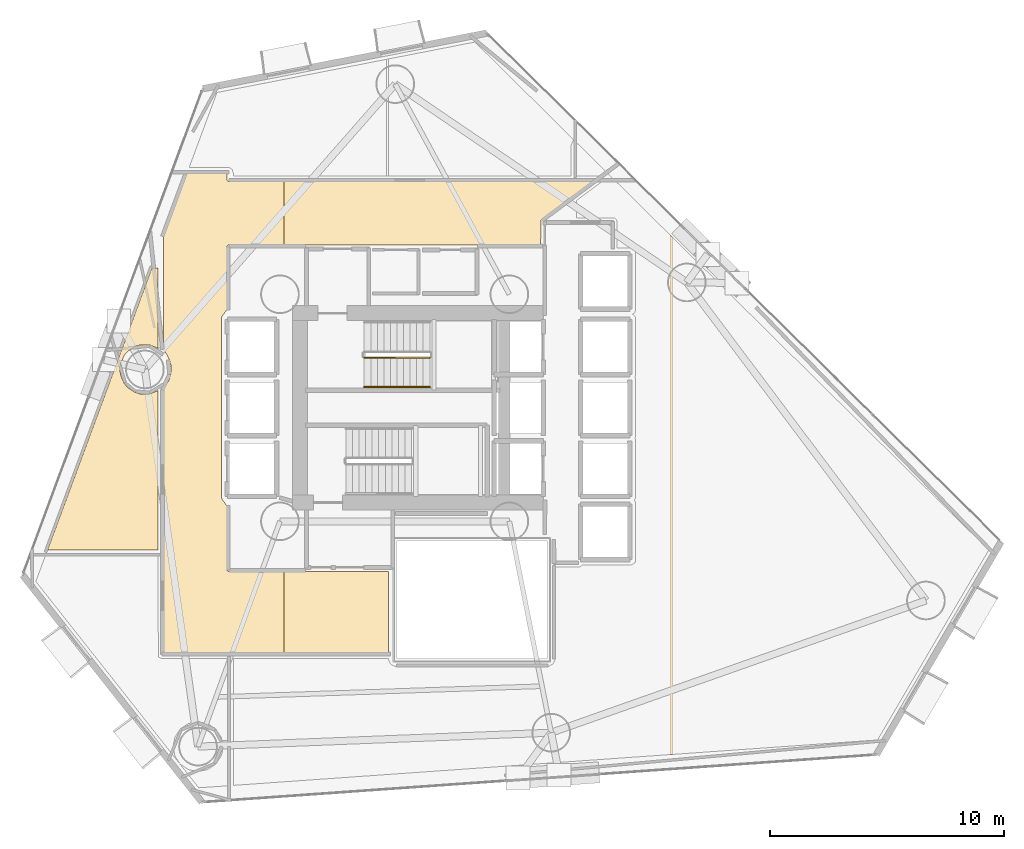
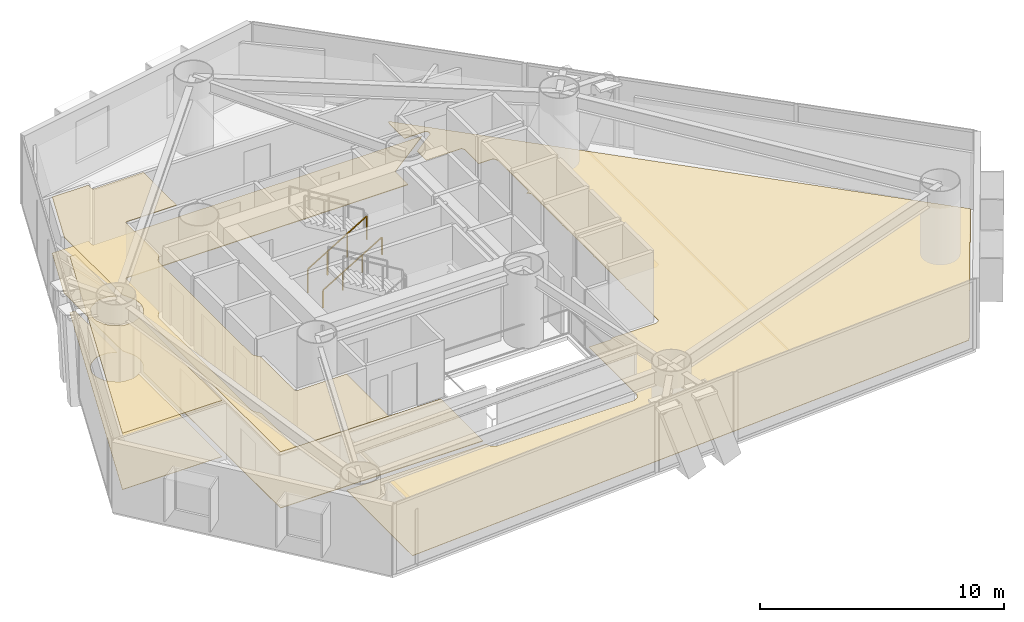
# One storey, part 22 of 24: 5 coverings, 2 railings.
"""IFC4 building model written with IfcOpenShell, lengths in metres."""

from ifc_helpers import new_model, si_unit, direction, frame, origin, origin_2d, place, context, subcontext, project, spatial, polyline, rectangle, outline, extrude, material, layer, layer_set, type_object, element, save


model = new_model("IFC4")

# Units and contexts
model_context = context("Model", 3, precision=1e-05, world=origin(), true_north=direction((0.0, 1.0)))
body_context = subcontext(model_context, "Body", "Model", "MODEL_VIEW")
ifc_project = project(units=[si_unit("LENGTHUNIT", "METRE"), si_unit("AREAUNIT", "SQUARE_METRE"), si_unit("VOLUMEUNIT", "CUBIC_METRE"), si_unit("PLANEANGLEUNIT", "RADIAN"), si_unit("MASSUNIT", "GRAM", prefix="KILO")], contexts=[model_context])

# Site, building, storey
site_placement = place(None, origin())
site = spatial("IfcSite", under=ifc_project, at=site_placement, CompositionType="ELEMENT")
building_placement = place(site_placement, origin())
building = spatial("IfcBuilding", under=site, at=building_placement, Name="Qianvela Tower", CompositionType="ELEMENT")
storey_placement = place(building_placement, frame((0.0, 0.0, 59.89990234375)))
storey = spatial("IfcBuildingStorey", under=building, at=storey_placement, Name="L14", CompositionType="ELEMENT", Elevation=59.89990234375)

# Coverings
ifc_material_1 = material(Name="Perforated Mineral Acoustic Ceiling Tile")
ifc_layer_1 = layer(ifc_material_1, 0.02490234375)
ifc_layer_set_1 = layer_set([ifc_layer_1], Name="Perforated Mineral Acoustic Ceiling Tile")
covering_type_1 = type_object("IfcCoveringType", Name="COV-CEIL-ACOUSTIC-25", PredefinedType="CEILING", material=ifc_layer_set_1)
covering_1_placement = place(storey_placement, frame((0.0, 0.0, 2.815185546875)))
element("IfcCovering", 1, at=covering_1_placement, inside=storey, type_object=covering_type_1, Name="L14 Acoustic Ceiling Bay 1 L14 Floor Corridor", PredefinedType="CEILING", context=body_context, shape_type="SweptSolid", body=[
    extrude(outline(polyline([(23.868408203125, 30.7705078125), (23.864990234375, 30.777587890625), (23.6298828125, 31.21728515625), (23.6298828125, 36.0205078125), (24.629638671875, 38.719970703125), (26.340087890625, 38.719970703125), (26.340087890625, 38.449951171875), (26.34033203125, 38.442138671875), (26.341552734375, 38.434326171875), (26.343505859375, 38.4267578125), (26.34619140625, 38.41943359375), (26.349365234375, 38.412353515625), (26.353515625, 38.405517578125), (26.358154296875, 38.399169921875), (26.36328125, 38.393310546875), (26.369140625, 38.38818359375), (26.37548828125, 38.383544921875), (26.38232421875, 38.37939453125), (26.389404296875, 38.376220703125), (26.396728515625, 38.373291015625), (26.404296875, 38.37158203125), (26.412109375, 38.370361328125), (26.419921875, 38.3701171875), (28.765380859375, 38.3701171875), (28.765380859375, 35.659912109375), (26.419921875, 35.659912109375), (26.412109375, 35.65966796875), (26.404296875, 35.658447265625), (26.396728515625, 35.656494140625), (26.389404296875, 35.65380859375), (26.38232421875, 35.650634765625), (26.37548828125, 35.646484375), (26.369140625, 35.641845703125), (26.36328125, 35.63671875), (26.358154296875, 35.630859375), (26.353515625, 35.62451171875), (26.349365234375, 35.61767578125), (26.34619140625, 35.610595703125), (26.343505859375, 35.603271484375), (26.341552734375, 35.595703125), (26.34033203125, 35.587890625), (26.340087890625, 35.580078125), (26.340087890625, 32.89599609375), (26.139404296875, 32.62548828125), (26.135498046875, 32.61962890625), (26.132080078125, 32.61376953125), (26.12939453125, 32.607421875), (26.126953125, 32.60107421875), (26.103515625, 32.523193359375), (26.1015625, 32.515625), (26.100341796875, 32.5078125), (26.10009765625, 32.5), (26.10009765625, 24.89990234375), (26.100341796875, 24.89208984375), (26.1015625, 24.884521484375), (26.103515625, 24.876708984375), (26.126953125, 24.799072265625), (26.12939453125, 24.79248046875), (26.132080078125, 24.786376953125), (26.135498046875, 24.7802734375), (26.139404296875, 24.774658203125), (26.340087890625, 24.50390625), (26.340087890625, 21.780029296875), (26.34033203125, 21.772216796875), (26.341552734375, 21.764404296875), (26.343505859375, 21.7568359375), (26.34619140625, 21.74951171875), (26.349365234375, 21.7421875), (26.353515625, 21.735595703125), (26.358154296875, 21.729248046875), (26.36328125, 21.723388671875), (26.369140625, 21.71826171875), (26.37548828125, 21.71337890625), (26.38232421875, 21.70947265625), (26.389404296875, 21.7060546875), (26.396728515625, 21.703369140625), (26.404296875, 21.701416015625), (26.412109375, 21.700439453125), (26.419921875, 21.699951171875), (28.765380859375, 21.699951171875), (28.765380859375, 18.22998046875), (23.6298828125, 18.22998046875), (23.6298828125, 29.462646484375), (23.864990234375, 29.90234375), (23.868408203125, 29.909423828125), (23.87109375, 29.9169921875), (23.930419921875, 30.11279296875), (23.932373046875, 30.12060546875), (23.93359375, 30.12841796875), (23.95361328125, 30.332275390625), (23.9541015625, 30.340087890625), (23.95361328125, 30.347900390625), (23.93359375, 30.5517578125), (23.932373046875, 30.5595703125), (23.930419921875, 30.567138671875), (23.87109375, 30.76318359375), (23.868408203125, 30.7705078125)])), origin(), (0.0, 0.0, 1.0), 0.02490234375),
])
covering_2_placement = place(storey_placement, frame((0.0, 0.0, 2.815185546875)))
element("IfcCovering", 2, at=covering_2_placement, inside=storey, type_object=covering_type_1, Name="L14 Acoustic Ceiling Maker Craft Workshop L14-03", PredefinedType="CEILING", context=body_context, shape_type="SweptSolid", body=[
    extrude(outline(polyline([(23.389892578125, 29.440185546875), (23.389892578125, 22.6220703125), (18.66845703125, 22.6220703125), (23.1328125, 34.677978515625), (23.389892578125, 34.677978515625), (23.390380859375, 31.23974609375), (23.0517578125, 31.3798828125), (23.04443359375, 31.382568359375), (23.036865234375, 31.384521484375), (23.029052734375, 31.3857421875), (23.021240234375, 31.385986328125), (22.63671875, 31.385986328125), (22.62890625, 31.3857421875), (22.62109375, 31.384521484375), (22.613525390625, 31.382568359375), (22.4287109375, 31.32666015625), (22.42138671875, 31.323974609375), (22.414306640625, 31.320556640625), (22.40771484375, 31.31640625), (22.088134765625, 31.10302734375), (22.081787109375, 31.098388671875), (22.075927734375, 31.093017578125), (22.07080078125, 31.08740234375), (21.9482421875, 30.93798828125), (21.943603515625, 30.931640625), (21.939453125, 30.9248046875), (21.93603515625, 30.91796875), (21.7890625, 30.562744140625), (21.786376953125, 30.555419921875), (21.784423828125, 30.5478515625), (21.783203125, 30.5400390625), (21.764404296875, 30.347900390625), (21.763916015625, 30.340087890625), (21.764404296875, 30.332275390625), (21.783203125, 30.139892578125), (21.784423828125, 30.132080078125), (21.786376953125, 30.12451171875), (21.7890625, 30.1171875), (21.93603515625, 29.76220703125), (21.939453125, 29.755126953125), (21.943603515625, 29.748291015625), (21.9482421875, 29.741943359375), (22.07080078125, 29.5927734375), (22.075927734375, 29.5869140625), (22.081787109375, 29.581787109375), (22.088134765625, 29.576904296875), (22.40771484375, 29.363525390625), (22.414306640625, 29.359375), (22.42138671875, 29.356201171875), (22.4287109375, 29.353515625), (22.613525390625, 29.29736328125), (22.62109375, 29.29541015625), (22.62890625, 29.294189453125), (22.63671875, 29.2939453125), (23.021240234375, 29.2939453125), (23.029052734375, 29.294189453125), (23.036865234375, 29.29541015625), (23.04443359375, 29.29736328125), (23.0517578125, 29.300048828125), (23.389892578125, 29.440185546875)])), origin(), (0.0, 0.0, 1.0), 0.02490234375),
])
ifc_material_2 = material(Name="Engineered Acoustic Oak Timber Flooring", Category="wood")
ifc_layer_2 = layer(ifc_material_2, 0.02001953125)
ifc_layer_set_2 = layer_set([ifc_layer_2], Name="Engineered Acoustic Oak Timber Flooring")
covering_type_2 = type_object("IfcCoveringType", Name="COV-FLOOR-OAK-20", PredefinedType="FLOORING", material=ifc_layer_set_2)
covering_3_placement = place(storey_placement, origin())
element("IfcCovering", 3, at=covering_3_placement, inside=storey, type_object=covering_type_2, Name="L14 Finish Flooring Student Fitness Gym L14-02", PredefinedType="FLOORING", context=body_context, shape_type="SweptSolid", body=[
    extrude(outline(polyline([(26.6220703125, 12.56982421875), (26.6220703125, 17.989990234375), (33.243408203125, 17.989990234375), (33.24560546875, 17.94189453125), (33.24609375, 17.93505859375), (33.247314453125, 17.927978515625), (33.2490234375, 17.92138671875), (33.25146484375, 17.914794921875), (33.293212890625, 17.813720703125), (33.296630859375, 17.806640625), (33.30078125, 17.800048828125), (33.305419921875, 17.793701171875), (33.310546875, 17.787841796875), (33.387939453125, 17.710693359375), (33.39306640625, 17.705810546875), (33.398681640625, 17.70166015625), (33.40478515625, 17.69775390625), (33.410888671875, 17.694580078125), (33.41748046875, 17.69189453125), (33.545654296875, 17.64599609375), (33.55224609375, 17.64404296875), (33.558837890625, 17.642578125), (33.565673828125, 17.6416015625), (33.572509765625, 17.641357421875), (40.0546875, 17.6455078125), (40.063232421875, 17.64599609375), (40.07177734375, 17.647216796875), (40.080078125, 17.6494140625), (40.088134765625, 17.652587890625), (40.095703125, 17.65673828125), (40.257568359375, 17.75390625), (40.263671875, 17.7578125), (40.269287109375, 17.76220703125), (40.274658203125, 17.767333984375), (40.279296875, 17.77294921875), (40.28369140625, 17.77880859375), (40.287353515625, 17.78515625), (40.290283203125, 17.791748046875), (40.3525390625, 17.94189453125), (40.355224609375, 17.94921875), (40.357177734375, 17.956787109375), (40.3583984375, 17.964599609375), (40.358642578125, 17.972412109375), (40.360107421875, 21.889892578125), (41.367919921875, 21.890380859375), (41.375732421875, 21.890869140625), (41.383544921875, 21.891845703125), (41.39111328125, 21.893798828125), (41.3984375, 21.896484375), (41.405517578125, 21.89990234375), (41.45947265625, 21.9287109375), (41.46630859375, 21.932861328125), (41.472900390625, 21.9375), (41.478759765625, 21.943115234375), (41.48388671875, 21.948974609375), (41.48876953125, 21.955322265625), (41.492919921875, 21.96240234375), (41.49609375, 21.969482421875), (41.498779296875, 21.97705078125), (41.49951171875, 21.97998046875), (43.580078125, 21.97998046875), (43.587158203125, 21.980224609375), (43.59423828125, 21.981201171875), (43.601318359375, 21.98291015625), (43.608154296875, 21.985107421875), (43.61474609375, 21.988037109375), (43.62109375, 21.991455078125), (43.74462890625, 22.0654296875), (43.75146484375, 22.070068359375), (43.7578125, 22.0751953125), (43.763427734375, 22.0810546875), (43.7685546875, 22.08740234375), (43.77294921875, 22.09423828125), (43.776611328125, 22.101806640625), (43.779541015625, 22.109375), (43.78173828125, 22.1171875), (43.782958984375, 22.125244140625), (43.783447265625, 22.133544921875), (43.800048828125, 24.599609375), (43.7998046875, 24.6064453125), (43.798828125, 24.61328125), (43.79736328125, 24.620361328125), (43.79541015625, 24.626953125), (43.763427734375, 24.7158203125), (43.760498046875, 24.722900390625), (43.7568359375, 24.72998046875), (43.75244140625, 24.736572265625), (43.74755859375, 24.742431640625), (43.741943359375, 24.748046875), (43.73779296875, 24.75146484375), (43.785888671875, 24.83154296875), (43.7900390625, 24.839111328125), (43.793212890625, 24.84716796875), (43.79541015625, 24.85546875), (43.796875, 24.864013671875), (43.79736328125, 24.87255859375), (43.800048828125, 27.2998046875), (43.799560546875, 27.307861328125), (43.79833984375, 27.31591796875), (43.79638671875, 27.323486328125), (43.793701171875, 27.3310546875), (43.7646484375, 27.39990234375), (43.793701171875, 27.468994140625), (43.79638671875, 27.476318359375), (43.79833984375, 27.484130859375), (43.799560546875, 27.491943359375), (43.800048828125, 27.5), (43.800048828125, 29.89990234375), (43.799560546875, 29.907958984375), (43.79833984375, 29.915771484375), (43.79638671875, 29.923583984375), (43.793701171875, 29.93115234375), (43.7646484375, 30.0), (43.793701171875, 30.06884765625), (43.79638671875, 30.076416015625), (43.79833984375, 30.084228515625), (43.799560546875, 30.09228515625), (43.800048828125, 30.10009765625), (43.7939453125, 32.540771484375), (43.793701171875, 32.548583984375), (43.79248046875, 32.556396484375), (43.79052734375, 32.56396484375), (43.787841796875, 32.5712890625), (43.784423828125, 32.578369140625), (43.780517578125, 32.585205078125), (43.7353515625, 32.652587890625), (43.73095703125, 32.658447265625), (43.726318359375, 32.6640625), (43.720947265625, 32.6689453125), (43.715087890625, 32.673583984375), (43.708984375, 32.677490234375), (43.702392578125, 32.680908203125), (43.69580078125, 32.68359375), (43.644287109375, 32.701904296875), (43.722412109375, 32.739013671875), (43.729248046875, 32.74267578125), (43.73583984375, 32.746826171875), (43.741943359375, 32.751953125), (43.74755859375, 32.757568359375), (43.75244140625, 32.763427734375), (43.7568359375, 32.77001953125), (43.760498046875, 32.777099609375), (43.763427734375, 32.7841796875), (43.79541015625, 32.873046875), (43.7978515625, 32.8818359375), (43.799560546875, 32.890869140625), (43.800048828125, 32.89990234375), (43.800048828125, 35.300048828125), (43.799560546875, 35.30908203125), (43.7978515625, 35.318115234375), (43.79541015625, 35.326904296875), (43.763427734375, 35.415771484375), (43.760498046875, 35.423095703125), (43.7568359375, 35.429931640625), (43.75244140625, 35.4365234375), (43.74755859375, 35.4423828125), (43.741943359375, 35.447998046875), (43.73583984375, 35.453125), (43.729248046875, 35.45751953125), (43.6484375, 35.505859375), (43.640869140625, 35.510009765625), (43.6328125, 35.51318359375), (43.62451171875, 35.515380859375), (43.6162109375, 35.516845703125), (43.607666015625, 35.517333984375), (43.0, 35.519775390625), (43.010009765625, 36.6494140625), (43.009765625, 36.656494140625), (43.0087890625, 36.663818359375), (43.007080078125, 36.6708984375), (43.0048828125, 36.677978515625), (43.002197265625, 36.684814453125), (42.99853515625, 36.691162109375), (42.956298828125, 36.76171875), (42.951904296875, 36.7685546875), (42.946533203125, 36.77490234375), (42.940673828125, 36.780517578125), (42.93408203125, 36.78564453125), (42.92724609375, 36.7900390625), (42.919921875, 36.793701171875), (42.912353515625, 36.796630859375), (42.904296875, 36.798828125), (42.896240234375, 36.800048828125), (42.88818359375, 36.800537109375), (41.261962890625, 36.8095703125), (41.261962890625, 37.552001953125), (42.298583984375, 38.321533203125), (42.303955078125, 38.326171875), (42.30908203125, 38.3310546875), (42.31396484375, 38.336669921875), (42.318115234375, 38.342529296875), (42.32177734375, 38.3486328125), (42.35400390625, 38.410400390625), (42.357177734375, 38.417236328125), (42.359619140625, 38.424560546875), (42.361572265625, 38.431884765625), (42.362548828125, 38.439208984375), (42.363037109375, 38.44677734375), (42.36279296875, 38.454345703125), (42.36181640625, 38.4619140625), (42.360107421875, 38.46923828125), (42.357666015625, 38.476318359375), (42.335205078125, 38.53466796875), (42.33203125, 38.54150390625), (42.328369140625, 38.548095703125), (42.32421875, 38.55419921875), (42.3193359375, 38.559814453125), (42.31396484375, 38.565185546875), (42.30810546875, 38.56982421875), (42.302001953125, 38.57421875), (42.29541015625, 38.57763671875), (42.245849609375, 38.6015625), (42.2392578125, 38.6044921875), (42.232421875, 38.606689453125), (42.225341796875, 38.6083984375), (42.21826171875, 38.609375), (42.211181640625, 38.609619140625), (41.26220703125, 38.610107421875), (41.2626953125, 39.880126953125), (41.3125, 39.993896484375), (58.8818359375, 22.623779296875), (54.132080078125, 14.509521484375), (26.6220703125, 12.56982421875)])), origin(), (0.0, 0.0, 1.0), 0.02001953125),
])
covering_4_placement = place(storey_placement, origin())
element("IfcCovering", 4, at=covering_4_placement, inside=storey, type_object=covering_type_2, Name="L14 Finish Flooring Maker Craft Workshop L14-03", PredefinedType="FLOORING", context=body_context, shape_type="SweptSolid", body=[
    extrude(outline(polyline([(23.389892578125, 29.440185546875), (23.389892578125, 22.6220703125), (18.66845703125, 22.6220703125), (23.1328125, 34.677978515625), (23.389892578125, 34.677978515625), (23.390380859375, 31.23974609375), (23.0517578125, 31.3798828125), (23.04443359375, 31.382568359375), (23.036865234375, 31.384521484375), (23.029052734375, 31.3857421875), (23.021240234375, 31.385986328125), (22.63671875, 31.385986328125), (22.62890625, 31.3857421875), (22.62109375, 31.384521484375), (22.613525390625, 31.382568359375), (22.4287109375, 31.32666015625), (22.42138671875, 31.323974609375), (22.414306640625, 31.320556640625), (22.40771484375, 31.31640625), (22.088134765625, 31.10302734375), (22.081787109375, 31.098388671875), (22.075927734375, 31.093017578125), (22.07080078125, 31.08740234375), (21.9482421875, 30.93798828125), (21.943603515625, 30.931640625), (21.939453125, 30.9248046875), (21.93603515625, 30.91796875), (21.7890625, 30.562744140625), (21.786376953125, 30.555419921875), (21.784423828125, 30.5478515625), (21.783203125, 30.5400390625), (21.764404296875, 30.347900390625), (21.763916015625, 30.340087890625), (21.764404296875, 30.332275390625), (21.783203125, 30.139892578125), (21.784423828125, 30.132080078125), (21.786376953125, 30.12451171875), (21.7890625, 30.1171875), (21.93603515625, 29.76220703125), (21.939453125, 29.755126953125), (21.943603515625, 29.748291015625), (21.9482421875, 29.741943359375), (22.07080078125, 29.5927734375), (22.075927734375, 29.5869140625), (22.081787109375, 29.581787109375), (22.088134765625, 29.576904296875), (22.40771484375, 29.363525390625), (22.414306640625, 29.359375), (22.42138671875, 29.356201171875), (22.4287109375, 29.353515625), (22.613525390625, 29.29736328125), (22.62109375, 29.29541015625), (22.62890625, 29.294189453125), (22.63671875, 29.2939453125), (23.021240234375, 29.2939453125), (23.029052734375, 29.294189453125), (23.036865234375, 29.29541015625), (23.04443359375, 29.29736328125), (23.0517578125, 29.300048828125), (23.389892578125, 29.440185546875)])), origin(), (0.0, 0.0, 1.0), 0.02001953125),
])
ifc_material_3 = material(Name="Honed Stone Terrazzo Flooring", Category="masonry")
ifc_layer_3 = layer(ifc_material_3, 0.030029296875)
ifc_layer_set_3 = layer_set([ifc_layer_3], Name="Honed Stone Terrazzo Flooring")
covering_type_3 = type_object("IfcCoveringType", Name="COV-FLOOR-TERRAZZO-30", PredefinedType="FLOORING", material=ifc_layer_set_3)
covering_5_placement = place(storey_placement, origin())
element("IfcCovering", 5, at=covering_5_placement, inside=storey, type_object=covering_type_3, Name="L14 Finish Flooring L14 Floor Corridor", PredefinedType="FLOORING", context=body_context, shape_type="SweptSolid", body=[
    extrude(outline(polyline([(23.87109375, 30.76318359375), (23.868408203125, 30.7705078125), (23.864990234375, 30.777587890625), (23.6298828125, 31.21728515625), (23.6298828125, 36.0205078125), (24.629638671875, 38.719970703125), (26.340087890625, 38.719970703125), (26.340087890625, 38.449951171875), (26.34033203125, 38.442138671875), (26.341552734375, 38.434326171875), (26.343505859375, 38.4267578125), (26.34619140625, 38.41943359375), (26.349365234375, 38.412353515625), (26.353515625, 38.405517578125), (26.358154296875, 38.399169921875), (26.36328125, 38.393310546875), (26.369140625, 38.38818359375), (26.37548828125, 38.383544921875), (26.38232421875, 38.37939453125), (26.389404296875, 38.376220703125), (26.396728515625, 38.373291015625), (26.404296875, 38.37158203125), (26.412109375, 38.370361328125), (26.419921875, 38.3701171875), (41.961181640625, 38.3701171875), (39.784423828125, 36.753662109375), (39.778076171875, 36.748291015625), (39.772216796875, 36.742431640625), (39.76708984375, 36.736083984375), (39.7626953125, 36.729248046875), (39.759033203125, 36.721923828125), (39.756103515625, 36.71435546875), (39.75390625, 36.70654296875), (39.752685546875, 36.698486328125), (39.752197265625, 36.690185546875), (39.739013671875, 35.659912109375), (26.419921875, 35.659912109375), (26.412109375, 35.65966796875), (26.404296875, 35.658447265625), (26.396728515625, 35.656494140625), (26.389404296875, 35.65380859375), (26.38232421875, 35.650634765625), (26.37548828125, 35.646484375), (26.369140625, 35.641845703125), (26.36328125, 35.63671875), (26.358154296875, 35.630859375), (26.353515625, 35.62451171875), (26.349365234375, 35.61767578125), (26.34619140625, 35.610595703125), (26.343505859375, 35.603271484375), (26.341552734375, 35.595703125), (26.34033203125, 35.587890625), (26.340087890625, 35.580078125), (26.340087890625, 32.89599609375), (26.139404296875, 32.62548828125), (26.135498046875, 32.61962890625), (26.132080078125, 32.61376953125), (26.12939453125, 32.607421875), (26.126953125, 32.60107421875), (26.103515625, 32.523193359375), (26.1015625, 32.515625), (26.100341796875, 32.5078125), (26.10009765625, 32.5), (26.10009765625, 24.89990234375), (26.100341796875, 24.89208984375), (26.1015625, 24.884521484375), (26.103515625, 24.876708984375), (26.126953125, 24.799072265625), (26.12939453125, 24.79248046875), (26.132080078125, 24.786376953125), (26.135498046875, 24.7802734375), (26.139404296875, 24.774658203125), (26.340087890625, 24.50390625), (26.340087890625, 21.780029296875), (26.34033203125, 21.772216796875), (26.341552734375, 21.764404296875), (26.343505859375, 21.7568359375), (26.34619140625, 21.74951171875), (26.349365234375, 21.7421875), (26.353515625, 21.735595703125), (26.358154296875, 21.729248046875), (26.36328125, 21.723388671875), (26.369140625, 21.71826171875), (26.37548828125, 21.71337890625), (26.38232421875, 21.70947265625), (26.389404296875, 21.7060546875), (26.396728515625, 21.703369140625), (26.404296875, 21.701416015625), (26.412109375, 21.700439453125), (26.419921875, 21.699951171875), (33.239990234375, 21.699951171875), (33.239990234375, 18.22998046875), (23.6298828125, 18.22998046875), (23.6298828125, 29.462646484375), (23.864990234375, 29.90234375), (23.868408203125, 29.909423828125), (23.87109375, 29.9169921875), (23.930419921875, 30.11279296875), (23.932373046875, 30.12060546875), (23.93359375, 30.12841796875), (23.95361328125, 30.332275390625), (23.9541015625, 30.340087890625), (23.95361328125, 30.347900390625), (23.93359375, 30.5517578125), (23.932373046875, 30.5595703125), (23.930419921875, 30.567138671875), (23.87109375, 30.76318359375)])), origin(), (0.0, 0.0, 1.0), 0.030029296875),
])

# Railings
ifc_material_4 = material(Name="Painted Tubular Steel Q355B", Category="steel")
railing_type_1 = type_object("IfcRailingType", Name="RL-STAIR-GUARD-1200", PredefinedType="GUARDRAIL", material=ifc_material_4)
railing_1_placement = place(storey_placement, frame((32.199951171875, 30.840087890625, 0.168212890625)))
element("IfcRailing", 6, at=railing_1_placement, inside=storey, type_object=railing_type_1, Name="L14 ST-1 stair guard 1", PredefinedType="GUARDRAIL", context=body_context, shape_type="SweptSolid", body=[
    extrude(rectangle(XDim=0.050048828125, YDim=0.0400390625, at=origin_2d()), frame((0.0, 0.0, 1.179931640625), z_axis=(0.857242210791, 0.0, 0.514913383045), x_axis=(0.0, 1.0, 0.0)), (0.0, 0.0, 1.0), 3.266357421875),
    extrude(rectangle(XDim=0.050048828125, YDim=0.050048828125, at=origin_2d()), origin(), (0.0, 0.0, 1.0), 1.159912109375),
    extrude(rectangle(XDim=0.050048828125, YDim=0.050048828125, at=origin_2d()), frame((0.933349609375, 0.0, 0.560546875)), (0.0, 0.0, 1.0), 1.159912109375),
    extrude(rectangle(XDim=0.050048828125, YDim=0.050048828125, at=origin_2d()), frame((1.86669921875, 0.0, 1.121337890625)), (0.0, 0.0, 1.0), 1.159912109375),
    extrude(rectangle(XDim=0.050048828125, YDim=0.050048828125, at=origin_2d()), frame((2.800048828125, 0.0, 1.681884765625)), (0.0, 0.0, 1.0), 1.159912109375),
])
ifc_material_5 = material(Name="Brushed Stainless Steel 304", Category="steel")
railing_type_2 = type_object("IfcRailingType", Name="RL-STAIR-HANDRAIL-900", PredefinedType="HANDRAIL", material=ifc_material_5)
railing_2_placement = place(storey_placement, frame((32.199951171875, 29.590087890625, 0.168212890625)))
element("IfcRailing", 7, at=railing_2_placement, inside=storey, type_object=railing_type_2, Name="L14 ST-1 stair handrail 1", PredefinedType="HANDRAIL", context=body_context, shape_type="SweptSolid", body=[
    extrude(rectangle(XDim=0.050048828125, YDim=0.0400390625, at=origin_2d()), frame((0.0, 0.0, 0.8798828125), z_axis=(0.857242210791, 0.0, 0.514913383045), x_axis=(0.0, 1.0, 0.0)), (0.0, 0.0, 1.0), 3.266357421875),
    extrude(rectangle(XDim=0.050048828125, YDim=0.050048828125, at=origin_2d()), origin(), (0.0, 0.0, 1.0), 0.85986328125),
    extrude(rectangle(XDim=0.050048828125, YDim=0.050048828125, at=origin_2d()), frame((0.933349609375, 0.0, 0.560546875)), (0.0, 0.0, 1.0), 0.85986328125),
    extrude(rectangle(XDim=0.050048828125, YDim=0.050048828125, at=origin_2d()), frame((1.86669921875, 0.0, 1.121337890625)), (0.0, 0.0, 1.0), 0.85986328125),
    extrude(rectangle(XDim=0.050048828125, YDim=0.050048828125, at=origin_2d()), frame((2.800048828125, 0.0, 1.681884765625)), (0.0, 0.0, 1.0), 0.85986328125),
])

save(model, "model.ifc")
